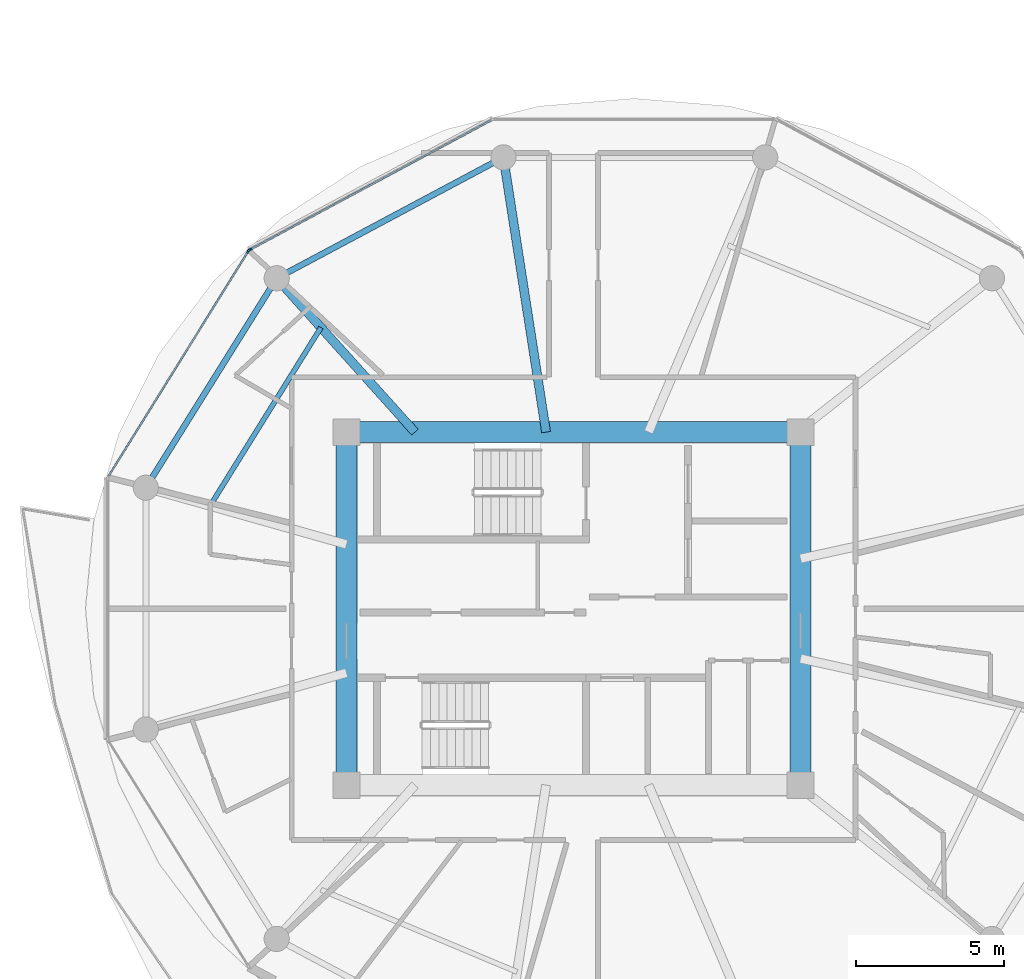
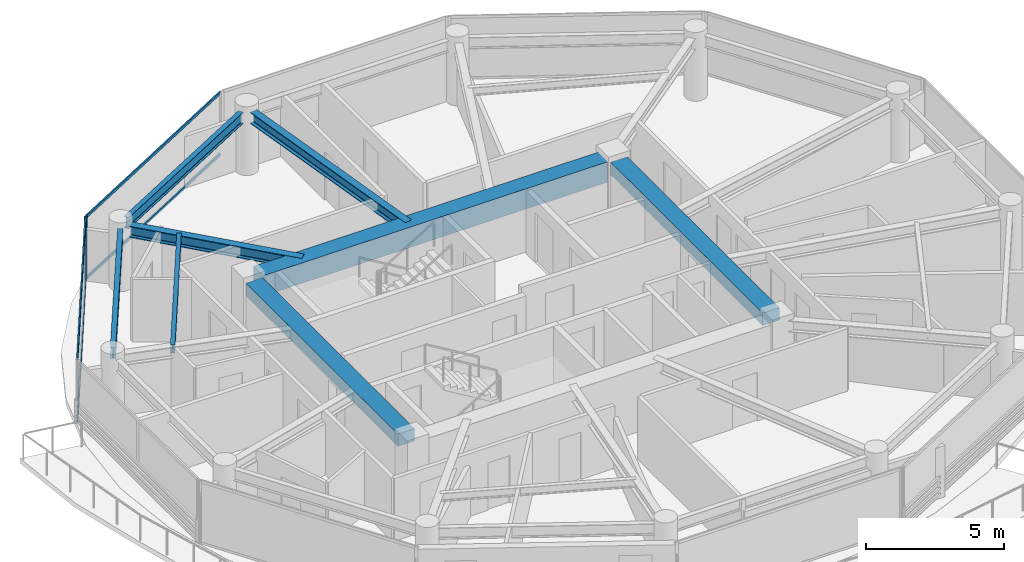
# One storey, part 4 of 24: 8 beams, 6 members, 2 elements without a shape of their own.
"""IFC4 building model written with IfcOpenShell, lengths in metres."""

from ifc_helpers import new_model, si_unit, direction, frame, origin, origin_2d, place, context, subcontext, project, spatial, rectangle, i_section, extrude, source, transform, mapped, material, layer, layer_set, material_profile, profile_set, type_object, type_shapes, element, aggregate, save


model = new_model("IFC4")

# Units and contexts
model_context = context("Model", 3, precision=1e-05, world=origin(), true_north=direction((0.0, 1.0)))
body_context = subcontext(model_context, "Body", "Model", "MODEL_VIEW")
ifc_project = project(units=[si_unit("LENGTHUNIT", "METRE"), si_unit("AREAUNIT", "SQUARE_METRE"), si_unit("VOLUMEUNIT", "CUBIC_METRE"), si_unit("PLANEANGLEUNIT", "RADIAN"), si_unit("MASSUNIT", "GRAM", prefix="KILO")], contexts=[model_context])

# Site, building, storey
site_placement = place(None, origin())
site = spatial("IfcSite", under=ifc_project, at=site_placement, CompositionType="ELEMENT")
building_placement = place(site_placement, origin())
building = spatial("IfcBuilding", under=site, at=building_placement, Name="Norrkilde Senior Care Towers", CompositionType="ELEMENT")
storey_placement = place(building_placement, frame((0.0, 0.0, 108.449951171875)))
storey = spatial("IfcBuildingStorey", under=building, at=storey_placement, Name="L33", CompositionType="ELEMENT", Elevation=108.449951171875)

# Beams
ifc_material_1 = material(Name="Concrete C60/75", Category="concrete")
ifc_material_profile_1 = material_profile(ifc_material_1, rectangle(XDim=0.699951171875, YDim=0.89990234375, at=origin_2d()), Name="RC BM 700x900")
ifc_profile_set_1 = profile_set([ifc_material_profile_1], Name="Concrete C60/75")
beam_type_1 = type_object("IfcBeamType", Name="Core Coupling Girder 700x900", PredefinedType="USERDEFINED", material=ifc_profile_set_1)
shared_shape_1 = source(origin(), body_context, "Body", "SweptSolid", [
    extrude(rectangle(XDim=0.699951171875, YDim=0.89990234375, at=origin_2d()), origin(), (0.0, 0.0, 1.0), 14.43994140625),
])
type_shapes(beam_type_1, [shared_shape_1])
beam_1_placement = place(storey_placement, frame((-35.219970703125, 5.949951171875, 2.340087890625), z_axis=(1.0, 0.0, 0.0), x_axis=(0.0, 1.0, 0.0)))
element("IfcBeam", 1, at=beam_1_placement, inside=storey, type_object=beam_type_1, Name="L33 Core W N Coupling Girder", ObjectType="GIRDER", PredefinedType="USERDEFINED", context=body_context, shape_type="MappedRepresentation", body=[
    mapped(shared_shape_1, transform((0.0, 0.0, 0.0), x_axis=(1.0, 0.0, 0.0), y_axis=(0.0, 1.0, 0.0), z_axis=(0.0, 0.0, 1.0), scale=1.0)),
])
ifc_material_profile_2 = material_profile(ifc_material_1, rectangle(XDim=0.699951171875, YDim=0.550048828125, at=origin_2d()), Name="RC BM 700x550")
ifc_profile_set_2 = profile_set([ifc_material_profile_2], Name="Concrete C60/75")
beam_type_2 = type_object("IfcBeamType", Name="Core Portal Coupling Beam 700x550", PredefinedType="USERDEFINED", material=ifc_profile_set_2)
shared_shape_2 = source(origin(), body_context, "Body", "SweptSolid", [
    extrude(rectangle(XDim=0.699951171875, YDim=0.550048828125, at=origin_2d()), origin(), (0.0, 0.0, 1.0), 11.0400390625),
])
type_shapes(beam_type_2, [shared_shape_2])
for number, where, z_axis, x_axis, name in (
    (2, (-35.64990234375, -5.52001953125, 2.51513671875), (0.0, 1.0, 0.0), (-1.0, 0.0, 0.0), "L33 Core W W Coupling Girder"),
    (3, (-20.35009765625, -5.52001953125, 2.51513671875), (0.0, 1.0, 0.0), (-1.0, 0.0, 0.0), "L33 Core W E Coupling Girder"),
):
    element("IfcBeam", number, at=place(storey_placement, frame(where, z_axis=z_axis, x_axis=x_axis)), inside=storey, type_object=beam_type_2, Name=name, ObjectType="GIRDER", PredefinedType="USERDEFINED", context=body_context, shape_type="MappedRepresentation", body=[
        mapped(shared_shape_2, transform((0.0, 0.0, 0.0), x_axis=(1.0, 0.0, 0.0), y_axis=(0.0, 1.0, 0.0), z_axis=(0.0, 0.0, 1.0), scale=1.0)),
    ])
ifc_material_2 = material(Name="Steel S355", Category="steel")
ifc_material_profile_3 = material_profile(ifc_material_2, i_section(OverallWidth=0.199951171875, OverallDepth=0.5, WebThickness=0.01025390625, FlangeThickness=0.01611328125, FilletRadius=0.02099609375, at=origin_2d()), Name="IPE 500")
ifc_profile_set_3 = profile_set([ifc_material_profile_3], Name="Steel S355")
beam_type_3 = type_object("IfcBeamType", Name="Perimeter Ring Spandrel Z2 IPE500", PredefinedType="SPANDREL", material=ifc_profile_set_3)
shared_shape_3 = source(origin(), body_context, "Body", "SweptSolid", [
    extrude(i_section(OverallWidth=0.199951171875, OverallDepth=0.5, WebThickness=0.01025390625, FlangeThickness=0.01611328125, FilletRadius=0.02099609375, at=origin_2d()), origin(), (0.0, 0.0, 1.0), 7.892333984375),
])
beam_2_placement = place(storey_placement, frame((-30.70263671875, 15.0322265625, 2.5400390625), z_axis=(-0.882350372282, -0.47059305194, 0.0), x_axis=(0.47059305194, -0.882350372282, 0.0)))
element("IfcBeam", 4, at=beam_2_placement, inside=storey, type_object=beam_type_3, Name="L33 Drum W Perimeter Spandrel 04", PredefinedType="SPANDREL", context=body_context, shape_type="MappedRepresentation", body=[
    mapped(shared_shape_3, transform((0.0, 0.0, 0.0), x_axis=(1.0, 0.0, 0.0), y_axis=(0.0, 1.0, 0.0), z_axis=(0.0, 0.0, 1.0), scale=1.0)),
])
ifc_material_profile_4 = material_profile(ifc_material_2, i_section(OverallWidth=0.300048828125, OverallDepth=0.5, WebThickness=0.014404296875, FlangeThickness=0.028076171875, FilletRadius=0.027099609375, at=origin_2d()), Name="HEB 500")
ifc_profile_set_4 = profile_set([ifc_material_profile_4], Name="Steel S355")
beam_type_4 = type_object("IfcBeamType", Name="Radial Floor Beam Z2 HEB500", PredefinedType="BEAM", material=ifc_profile_set_4)
shared_shape_4 = source(origin(), body_context, "Body", "SweptSolid", [
    extrude(i_section(OverallWidth=0.300048828125, OverallDepth=0.5, WebThickness=0.014404296875, FlangeThickness=0.028076171875, FilletRadius=0.027099609375, at=origin_2d()), origin(), (0.0, 0.0, 1.0), 8.989501953125),
])
beam_3_placement = place(storey_placement, frame((-28.924072265625, 5.949951171875, 2.5400390625), z_axis=(-0.153471298636, 0.988153105796, 0.0), x_axis=(-0.988153105796, -0.153471298636, 0.0)))
element("IfcBeam", 5, at=beam_3_placement, inside=storey, type_object=beam_type_4, Name="L33 Drum W Radial Floor Beam 04", PredefinedType="BEAM", context=body_context, shape_type="MappedRepresentation", body=[
    mapped(shared_shape_4, transform((0.0, 0.0, 0.0), x_axis=(1.0, 0.0, 0.0), y_axis=(0.0, 1.0, 0.0), z_axis=(0.0, 0.0, 1.0), scale=1.0)),
])
shared_shape_5 = source(origin(), body_context, "Body", "SweptSolid", [
    extrude(i_section(OverallWidth=0.199951171875, OverallDepth=0.5, WebThickness=0.01025390625, FlangeThickness=0.01611328125, FilletRadius=0.02099609375, at=origin_2d()), origin(), (0.0, 0.0, 1.0), 7.556396484375),
])
type_shapes(beam_type_3, [shared_shape_3, shared_shape_5])
beam_4_placement = place(storey_placement, frame((-38.210205078125, 10.810546875, 2.5400390625), z_axis=(-0.530004748437, -0.847994673706, 0.0), x_axis=(0.847994673706, -0.530004748437, 0.0)))
element("IfcBeam", 6, at=beam_4_placement, inside=storey, type_object=beam_type_3, Name="L33 Drum W Perimeter Spandrel 05", PredefinedType="SPANDREL", context=body_context, shape_type="MappedRepresentation", body=[
    mapped(shared_shape_5, transform((0.0, 0.0, 0.0), x_axis=(1.0, 0.0, 0.0), y_axis=(0.0, 1.0, 0.0), z_axis=(0.0, 0.0, 1.0), scale=1.0)),
])
shared_shape_6 = source(origin(), body_context, "Body", "SweptSolid", [
    extrude(i_section(OverallWidth=0.300048828125, OverallDepth=0.5, WebThickness=0.014404296875, FlangeThickness=0.028076171875, FilletRadius=0.027099609375, at=origin_2d()), origin(), (0.0, 0.0, 1.0), 6.587890625),
])
type_shapes(beam_type_4, [shared_shape_4, shared_shape_6])
beam_5_placement = place(storey_placement, frame((-33.345947265625, 5.949951171875, 2.5400390625), z_axis=(-0.668315438605, 0.743877997068, 0.0), x_axis=(-0.743877997068, -0.668315438605, 0.0)))
element("IfcBeam", 7, at=beam_5_placement, inside=storey, type_object=beam_type_4, Name="L33 Drum W Radial Floor Beam 05", PredefinedType="BEAM", context=body_context, shape_type="MappedRepresentation", body=[
    mapped(shared_shape_6, transform((0.0, 0.0, 0.0), x_axis=(1.0, 0.0, 0.0), y_axis=(0.0, 1.0, 0.0), z_axis=(0.0, 0.0, 1.0), scale=1.0)),
])
ifc_material_profile_5 = material_profile(ifc_material_2, i_section(OverallWidth=0.169921875, OverallDepth=0.360107421875, WebThickness=0.008056640625, FlangeThickness=0.0126953125, FilletRadius=0.01806640625, at=origin_2d()), Name="IPE 360")
ifc_profile_set_5 = profile_set([ifc_material_profile_5], Name="Steel S355")
beam_type_5 = type_object("IfcBeamType", Name="Secondary Floor Joist IPE360", PredefinedType="JOIST", material=ifc_profile_set_5)
shared_shape_7 = source(origin(), body_context, "Body", "SweptSolid", [
    extrude(i_section(OverallWidth=0.169921875, OverallDepth=0.360107421875, WebThickness=0.008056640625, FlangeThickness=0.0126953125, FilletRadius=0.01806640625, at=origin_2d()), origin(), (0.0, 0.0, 1.0), 7.080078125),
])
type_shapes(beam_type_5, [shared_shape_7])
beam_6_placement = place(storey_placement, frame((-36.514892578125, 9.47705078125, 2.610107421875), z_axis=(-0.527961009189, -0.849268610497, 0.0), x_axis=(0.849268610497, -0.527961009189, 0.0)))
element("IfcBeam", 8, at=beam_6_placement, inside=storey, type_object=beam_type_5, Name="L33 Drum W Secondary Floor Joist 2", PredefinedType="JOIST", context=body_context, shape_type="MappedRepresentation", body=[
    mapped(shared_shape_7, transform((0.0, 0.0, 0.0), x_axis=(1.0, 0.0, 0.0), y_axis=(0.0, 1.0, 0.0), z_axis=(0.0, 0.0, 1.0), scale=1.0)),
])

# Curtain wall, member
ifc_material_3 = material(Name="Triple Low-E Insulated Glazing", Category="glass")
ifc_layer = layer(ifc_material_3, 0.195068359375)
ifc_layer_set = layer_set([ifc_layer], Name="Triple Low-E Insulated Glazing")
curtain_wall_type = type_object("IfcCurtainWallType", Name="CW3 Zone 2 Assisted Living Curtain Wall", PredefinedType="NOTDEFINED", material=ifc_layer_set)
curtain_wall_1_placement = place(storey_placement, origin())
curtain_wall_1 = element("IfcCurtainWall", 9, at=curtain_wall_1_placement, inside=storey, type_object=curtain_wall_type, Name="L33 Drum W Curtain Wall 03", PredefinedType="NOTDEFINED")
ifc_material_4 = material(Name="Anodised Aluminium", Category="aluminium")
ifc_material_profile_6 = material_profile(ifc_material_4, rectangle(XDim=0.06494140625, YDim=0.159912109375, at=origin_2d()), Name="ALU MULL 65x160")
ifc_profile_set_6 = profile_set([ifc_material_profile_6], Name="Anodised Aluminium")
member_type_1 = type_object("IfcMemberType", Name="Curtain Wall Mullion Z1-Z2 65x160", PredefinedType="MULLION", material=ifc_profile_set_6)
shared_shape_8 = source(origin(), body_context, "Body", "SweptSolid", [
    extrude(rectangle(XDim=0.06494140625, YDim=0.159912109375, at=origin_2d()), origin(), (0.0, 0.0, 1.0), 2.7900390625),
])
type_shapes(member_type_1, [shared_shape_8])
member_1_placement = place(storey_placement, frame((-38.91796875, 12.0927734375, 0.0), z_axis=(0.0, 0.0, 1.0), x_axis=(-0.472769402511, 0.881186184668, 0.0)))
member_1 = element("IfcMember", 10, at=member_1_placement, type_object=member_type_1, Name="CW-3 mullion 1", PredefinedType="MULLION", context=body_context, shape_type="MappedRepresentation", body=[
    mapped(shared_shape_8, transform((0.0, 0.0, 0.0), x_axis=(1.0, 0.0, 0.0), y_axis=(0.0, 1.0, 0.0), z_axis=(0.0, 0.0, 1.0), scale=1.0)),
])

# Curtain wall, members
curtain_wall_2_placement = place(storey_placement, origin())
curtain_wall_2 = element("IfcCurtainWall", 11, at=curtain_wall_2_placement, inside=storey, type_object=curtain_wall_type, Name="L33 Drum W Curtain Wall 04", PredefinedType="NOTDEFINED")
member_2_placement = place(storey_placement, frame((-38.9638671875, 12.0498046875, 0.0), z_axis=(0.0, 0.0, 1.0), x_axis=(-0.849410171862, 0.527733228002, 0.0)))
member_2 = element("IfcMember", 12, at=member_2_placement, type_object=member_type_1, Name="CW-3 mullion 2", PredefinedType="MULLION", context=body_context, shape_type="MappedRepresentation", body=[
    mapped(shared_shape_8, transform((0.0, 0.0, 0.0), x_axis=(1.0, 0.0, 0.0), y_axis=(0.0, 1.0, 0.0), z_axis=(0.0, 0.0, 1.0), scale=1.0)),
])
ifc_material_profile_7 = material_profile(ifc_material_4, rectangle(XDim=0.06005859375, YDim=0.1201171875, at=origin_2d()), Name="ALU TRAN 60x120")
ifc_profile_set_7 = profile_set([ifc_material_profile_7], Name="Anodised Aluminium")
member_type_2 = type_object("IfcMemberType", Name="Curtain Wall Transom Typical 60x120", PredefinedType="USERDEFINED", material=ifc_profile_set_7)
shared_shape_9 = source(origin(), body_context, "Body", "SweptSolid", [
    extrude(rectangle(XDim=0.06005859375, YDim=0.1201171875, at=origin_2d()), origin(), (0.0, 0.0, 1.0), 8.88427734375),
])
member_3_placement = place(storey_placement, frame((-43.66943359375, 4.475830078125, 0.030029296875), z_axis=(0.527729466743, 0.849412508697, 0.0), x_axis=(-0.849412508697, 0.527729466743, 0.0)))
member_3 = element("IfcMember", 13, at=member_3_placement, type_object=member_type_2, Name="CW-3 transom 1.1", ObjectType="TRANSOM", PredefinedType="USERDEFINED", context=body_context, shape_type="MappedRepresentation", body=[
    mapped(shared_shape_9, transform((0.0, 0.0, 0.0), x_axis=(1.0, 0.0, 0.0), y_axis=(0.0, 1.0, 0.0), z_axis=(0.0, 0.0, 1.0), scale=1.0)),
])
member_4_placement = place(storey_placement, frame((-43.66943359375, 4.475830078125, 2.760009765625), z_axis=(0.527729466743, 0.849412508697, 0.0), x_axis=(-0.849412508697, 0.527729466743, 0.0)))
member_4 = element("IfcMember", 14, at=member_4_placement, type_object=member_type_2, Name="CW-3 transom 1.2", ObjectType="TRANSOM", PredefinedType="USERDEFINED", context=body_context, shape_type="MappedRepresentation", body=[
    mapped(shared_shape_9, transform((0.0, 0.0, 0.0), x_axis=(1.0, 0.0, 0.0), y_axis=(0.0, 1.0, 0.0), z_axis=(0.0, 0.0, 1.0), scale=1.0)),
])
aggregate(curtain_wall_2, [member_2, member_3, member_4])

# Member
shared_shape_10 = source(origin(), body_context, "Body", "SweptSolid", [
    extrude(rectangle(XDim=0.06005859375, YDim=0.1201171875, at=origin_2d()), origin(), (0.0, 0.0, 1.0), 9.220458984375),
])
type_shapes(member_type_2, [shared_shape_9, shared_shape_10])
member_5_placement = place(storey_placement, frame((-38.889404296875, 12.108154296875, 0.030029296875), z_axis=(0.881188517866, 0.472765053681, 0.0), x_axis=(-0.472765053681, 0.881188517866, 0.0)))
member_5 = element("IfcMember", 15, at=member_5_placement, type_object=member_type_2, Name="CW-3 transom 1.1", ObjectType="TRANSOM", PredefinedType="USERDEFINED", context=body_context, shape_type="MappedRepresentation", body=[
    mapped(shared_shape_10, transform((0.0, 0.0, 0.0), x_axis=(1.0, 0.0, 0.0), y_axis=(0.0, 1.0, 0.0), z_axis=(0.0, 0.0, 1.0), scale=1.0)),
])

member_6_placement = place(storey_placement, frame((-38.889404296875, 12.108154296875, 2.760009765625), z_axis=(0.881188517866, 0.472765053681, 0.0), x_axis=(-0.472765053681, 0.881188517866, 0.0)))
member_6 = element("IfcMember", 16, at=member_6_placement, type_object=member_type_2, Name="CW-3 transom 1.2", ObjectType="TRANSOM", PredefinedType="USERDEFINED", context=body_context, shape_type="MappedRepresentation", body=[
    mapped(shared_shape_10, transform((0.0, 0.0, 0.0), x_axis=(1.0, 0.0, 0.0), y_axis=(0.0, 1.0, 0.0), z_axis=(0.0, 0.0, 1.0), scale=1.0)),
])

aggregate(curtain_wall_1, [member_1, member_5, member_6])

save(model, "model.ifc")
